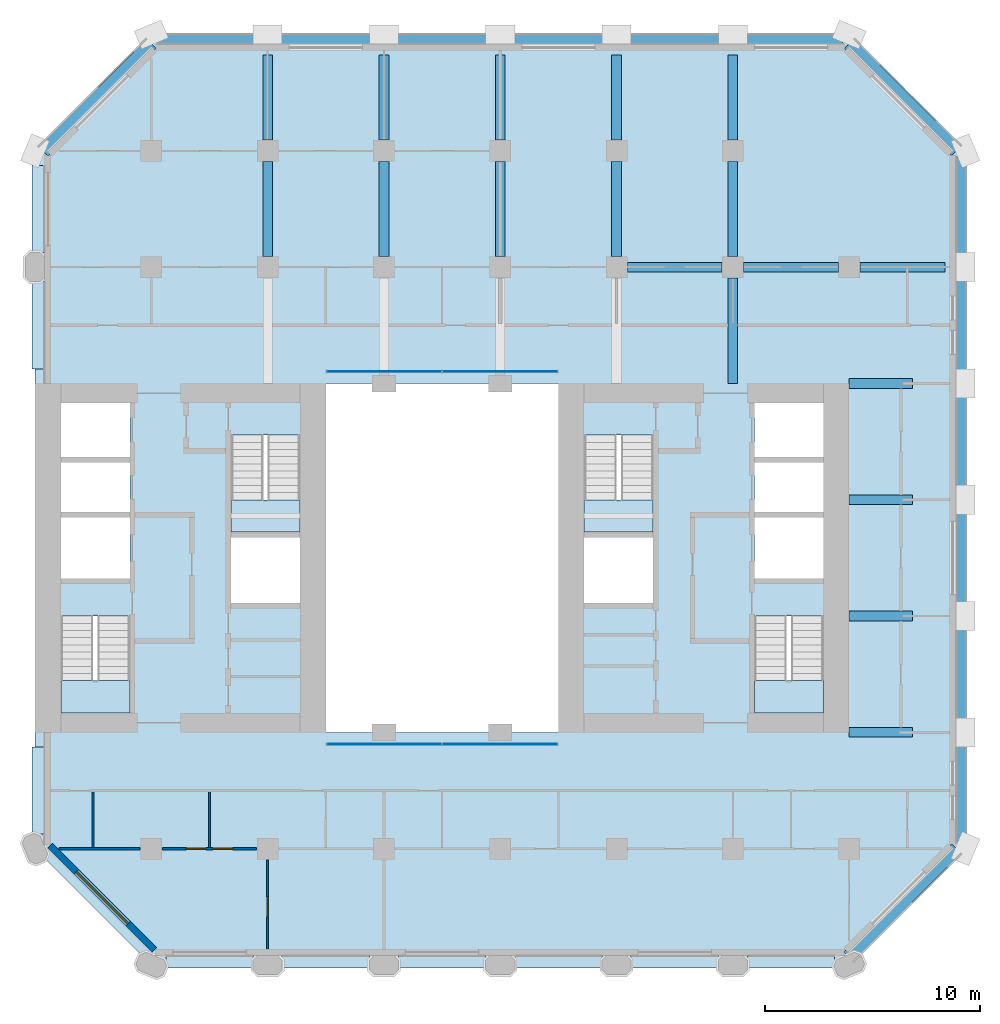
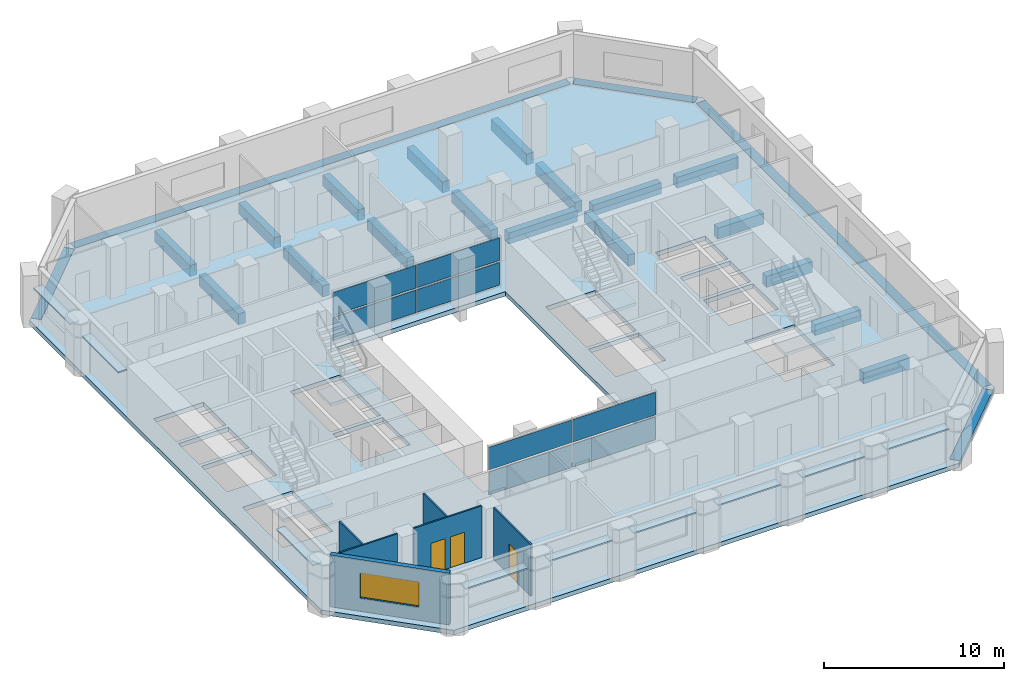
# One storey, part 3 of 10: 23 beams, 17 plates, 6 walls, 5 slabs, 3 doors, 1 window, 4 openings, 6 elements without a shape of their own.
"""IFC4 building model written with IfcOpenShell, lengths in metres."""

from ifc_helpers import new_model, si_unit, direction, frame, frame_2d, origin, origin_2d, place, context, subcontext, project, spatial, polyline, rectangle, outline, extrude, material, layer, layer_set, material_profile, profile_set, type_object, element, fill, aggregate, save


model = new_model("IFC4")

# Units and contexts
model_context = context("Model", 3, precision=1e-05, world=origin(), true_north=direction((0.0, 1.0)))
body_context = subcontext(model_context, "Body", "Model", "MODEL_VIEW")
ifc_project = project(units=[si_unit("LENGTHUNIT", "METRE"), si_unit("AREAUNIT", "SQUARE_METRE"), si_unit("VOLUMEUNIT", "CUBIC_METRE"), si_unit("PLANEANGLEUNIT", "RADIAN"), si_unit("MASSUNIT", "GRAM", prefix="KILO")], contexts=[model_context])

# Site, building, storey
site_placement = place(None, origin())
site = spatial("IfcSite", under=ifc_project, at=site_placement, CompositionType="ELEMENT")
building_placement = place(site_placement, origin())
building = spatial("IfcBuilding", under=site, at=building_placement, Name="Tabaq Tower and Sports Hall", CompositionType="ELEMENT")
storey_placement = place(building_placement, frame((0.0, 0.0, 87.800048828125)))
storey = spatial("IfcBuildingStorey", under=building, at=storey_placement, Name="L20", CompositionType="ELEMENT", Elevation=87.800048828125)

# Beams
ifc_material_1 = material(Name="Concrete C40/50", Category="concrete")
ifc_material_profile_1 = material_profile(ifc_material_1, rectangle(XDim=0.449951171875, YDim=0.75, at=origin_2d()), Name="CB 450x750")
ifc_profile_set_1 = profile_set([ifc_material_profile_1], Name="Concrete C40/50")
beam_type_1 = type_object("IfcBeamType", Name="PT CANTILEVER BEAM CB 450x750 C40/50", PredefinedType="BEAM", material=ifc_profile_set_1)
for number, where, z_axis, x_axis, name in (
    (1, (46.14990234375, 16.199951171875, -0.675048828125), (-1.0, 0.0, 0.0), (0.0, -1.0, 0.0), "Cantilever Beam L20 E3 span 1"),
    (2, (46.14990234375, 21.60009765625, -0.675048828125), (-1.0, 0.0, 0.0), (0.0, -1.0, 0.0), "Cantilever Beam L20 E4 span 1"),
    (3, (46.14990234375, 27.0, -0.675048828125), (-1.0, 0.0, 0.0), (0.0, -1.0, 0.0), "Cantilever Beam L20 E5 span 1"),
    (4, (46.14990234375, 32.39990234375, -0.675048828125), (-1.0, 0.0, 0.0), (0.0, -1.0, 0.0), "Cantilever Beam L20 E6 span 1"),
):
    element("IfcBeam", number, at=place(storey_placement, frame(where, z_axis=z_axis, x_axis=x_axis)), inside=storey, type_object=beam_type_1, Name=name, PredefinedType="BEAM", context=body_context, shape_type="SweptSolid", body=[
        extrude(rectangle(XDim=0.449951171875, YDim=0.75, at=origin_2d()), origin(), (0.0, 0.0, 1.0), 2.949951171875),
    ])
beam_1_placement = place(storey_placement, frame((47.64990234375, 37.800048828125, -0.675048828125), z_axis=(-1.0, 0.0, 0.0), x_axis=(0.0, -1.0, 0.0)))
element("IfcBeam", 5, at=beam_1_placement, inside=storey, type_object=beam_type_1, Name="Cantilever Beam L20 E7 span 1", PredefinedType="BEAM", context=body_context, shape_type="SweptSolid", body=[
    extrude(rectangle(XDim=0.449951171875, YDim=0.75, at=origin_2d()), origin(), (0.0, 0.0, 1.0), 3.949951171875),
])
beam_2_placement = place(storey_placement, frame((42.699951171875, 37.800048828125, -0.675048828125), z_axis=(-1.0, 0.0, 0.0), x_axis=(0.0, -1.0, 0.0)))
element("IfcBeam", 6, at=beam_2_placement, inside=storey, type_object=beam_type_1, Name="Cantilever Beam L20 E7 span 2", PredefinedType="BEAM", context=body_context, shape_type="SweptSolid", body=[
    extrude(rectangle(XDim=0.449951171875, YDim=0.75, at=origin_2d()), origin(), (0.0, 0.0, 1.0), 4.39990234375),
])
beam_3_placement = place(storey_placement, frame((37.300048828125, 37.800048828125, -0.675048828125), z_axis=(-1.0, 0.0, 0.0), x_axis=(0.0, -1.0, 0.0)))
element("IfcBeam", 7, at=beam_3_placement, inside=storey, type_object=beam_type_1, Name="Cantilever Beam L20 E7 span 3", PredefinedType="BEAM", context=body_context, shape_type="SweptSolid", body=[
    extrude(rectangle(XDim=0.449951171875, YDim=0.75, at=origin_2d()), origin(), (0.0, 0.0, 1.0), 4.400146484375),
])
beam_4_placement = place(storey_placement, frame((16.199951171875, 47.64990234375, -0.675048828125), z_axis=(0.0, -1.0, 0.0), x_axis=(1.0, 0.0, 0.0)))
element("IfcBeam", 8, at=beam_4_placement, inside=storey, type_object=beam_type_1, Name="Cantilever Beam L20 N3 span 1", PredefinedType="BEAM", context=body_context, shape_type="SweptSolid", body=[
    extrude(rectangle(XDim=0.449951171875, YDim=0.75, at=origin_2d()), origin(), (0.0, 0.0, 1.0), 3.949951171875),
])
beam_5_placement = place(storey_placement, frame((16.199951171875, 42.699951171875, -0.675048828125), z_axis=(0.0, -1.0, 0.0), x_axis=(1.0, 0.0, 0.0)))
element("IfcBeam", 9, at=beam_5_placement, inside=storey, type_object=beam_type_1, Name="Cantilever Beam L20 N3 span 2", PredefinedType="BEAM", context=body_context, shape_type="SweptSolid", body=[
    extrude(rectangle(XDim=0.449951171875, YDim=0.75, at=origin_2d()), origin(), (0.0, 0.0, 1.0), 4.39990234375),
])
beam_6_placement = place(storey_placement, frame((21.60009765625, 47.64990234375, -0.675048828125), z_axis=(0.0, -1.0, 0.0), x_axis=(1.0, 0.0, 0.0)))
element("IfcBeam", 10, at=beam_6_placement, inside=storey, type_object=beam_type_1, Name="Cantilever Beam L20 N4 span 1", PredefinedType="BEAM", context=body_context, shape_type="SweptSolid", body=[
    extrude(rectangle(XDim=0.449951171875, YDim=0.75, at=origin_2d()), origin(), (0.0, 0.0, 1.0), 3.949951171875),
])
beam_7_placement = place(storey_placement, frame((21.60009765625, 42.699951171875, -0.675048828125), z_axis=(0.0, -1.0, 0.0), x_axis=(1.0, 0.0, 0.0)))
element("IfcBeam", 11, at=beam_7_placement, inside=storey, type_object=beam_type_1, Name="Cantilever Beam L20 N4 span 2", PredefinedType="BEAM", context=body_context, shape_type="SweptSolid", body=[
    extrude(rectangle(XDim=0.449951171875, YDim=0.75, at=origin_2d()), origin(), (0.0, 0.0, 1.0), 4.39990234375),
])
beam_8_placement = place(storey_placement, frame((27.0, 47.64990234375, -0.675048828125), z_axis=(0.0, -1.0, 0.0), x_axis=(1.0, 0.0, 0.0)))
element("IfcBeam", 12, at=beam_8_placement, inside=storey, type_object=beam_type_1, Name="Cantilever Beam L20 N5 span 1", PredefinedType="BEAM", context=body_context, shape_type="SweptSolid", body=[
    extrude(rectangle(XDim=0.449951171875, YDim=0.75, at=origin_2d()), origin(), (0.0, 0.0, 1.0), 3.949951171875),
])
beam_9_placement = place(storey_placement, frame((27.0, 42.699951171875, -0.675048828125), z_axis=(0.0, -1.0, 0.0), x_axis=(1.0, 0.0, 0.0)))
element("IfcBeam", 13, at=beam_9_placement, inside=storey, type_object=beam_type_1, Name="Cantilever Beam L20 N5 span 2", PredefinedType="BEAM", context=body_context, shape_type="SweptSolid", body=[
    extrude(rectangle(XDim=0.449951171875, YDim=0.75, at=origin_2d()), origin(), (0.0, 0.0, 1.0), 4.39990234375),
])
beam_10_placement = place(storey_placement, frame((32.39990234375, 47.64990234375, -0.675048828125), z_axis=(0.0, -1.0, 0.0), x_axis=(1.0, 0.0, 0.0)))
element("IfcBeam", 14, at=beam_10_placement, inside=storey, type_object=beam_type_1, Name="Cantilever Beam L20 N6 span 1", PredefinedType="BEAM", context=body_context, shape_type="SweptSolid", body=[
    extrude(rectangle(XDim=0.449951171875, YDim=0.75, at=origin_2d()), origin(), (0.0, 0.0, 1.0), 3.949951171875),
])
beam_11_placement = place(storey_placement, frame((32.39990234375, 42.699951171875, -0.675048828125), z_axis=(0.0, -1.0, 0.0), x_axis=(1.0, 0.0, 0.0)))
element("IfcBeam", 15, at=beam_11_placement, inside=storey, type_object=beam_type_1, Name="Cantilever Beam L20 N6 span 2", PredefinedType="BEAM", context=body_context, shape_type="SweptSolid", body=[
    extrude(rectangle(XDim=0.449951171875, YDim=0.75, at=origin_2d()), origin(), (0.0, 0.0, 1.0), 4.39990234375),
])
beam_12_placement = place(storey_placement, frame((37.800048828125, 47.64990234375, -0.675048828125), z_axis=(0.0, -1.0, 0.0), x_axis=(1.0, 0.0, 0.0)))
element("IfcBeam", 16, at=beam_12_placement, inside=storey, type_object=beam_type_1, Name="Cantilever Beam L20 N7 span 1", PredefinedType="BEAM", context=body_context, shape_type="SweptSolid", body=[
    extrude(rectangle(XDim=0.449951171875, YDim=0.75, at=origin_2d()), origin(), (0.0, 0.0, 1.0), 3.949951171875),
])
beam_13_placement = place(storey_placement, frame((37.800048828125, 42.699951171875, -0.675048828125), z_axis=(0.0, -1.0, 0.0), x_axis=(1.0, 0.0, 0.0)))
element("IfcBeam", 17, at=beam_13_placement, inside=storey, type_object=beam_type_1, Name="Cantilever Beam L20 N7 span 2", PredefinedType="BEAM", context=body_context, shape_type="SweptSolid", body=[
    extrude(rectangle(XDim=0.449951171875, YDim=0.75, at=origin_2d()), origin(), (0.0, 0.0, 1.0), 4.39990234375),
])
beam_14_placement = place(storey_placement, frame((37.800048828125, 37.300048828125, -0.675048828125), z_axis=(0.0, -1.0, 0.0), x_axis=(1.0, 0.0, 0.0)))
element("IfcBeam", 18, at=beam_14_placement, inside=storey, type_object=beam_type_1, Name="Cantilever Beam L20 N7 span 3", PredefinedType="BEAM", context=body_context, shape_type="SweptSolid", body=[
    extrude(rectangle(XDim=0.449951171875, YDim=0.75, at=origin_2d()), origin(), (0.0, 0.0, 1.0), 4.900146484375),
])
ifc_material_2 = material(Name="Concrete C40/50", Category="concrete")
ifc_material_profile_2 = material_profile(ifc_material_2, rectangle(XDim=0.60009765625, YDim=0.300048828125, at=origin_2d()), Name="EB 600x300")
ifc_profile_set_2 = profile_set([ifc_material_profile_2], Name="Concrete C40/50")
beam_type_2 = type_object("IfcBeamType", Name="PT EDGE BEAM EB 600x300 C40/50", PredefinedType="SPANDREL", material=ifc_profile_set_2)
beam_15_placement = place(storey_placement, frame((43.16455078125, 5.788818359375, -0.150146484375), z_axis=(0.707106781187, 0.707106781187, 0.0), x_axis=(-0.707106781187, 0.707106781187, 0.0)))
element("IfcBeam", 19, at=beam_15_placement, inside=storey, type_object=beam_type_2, Name="Edge Beam L20 1", PredefinedType="SPANDREL", context=body_context, shape_type="SweptSolid", body=[
    extrude(rectangle(XDim=0.60009765625, YDim=0.300048828125, at=origin_2d()), origin(), (0.0, 0.0, 1.0), 7.08837890625),
])
beam_16_placement = place(storey_placement, frame((48.300048828125, 11.0986328125, -0.150146484375), z_axis=(0.0, 1.0, 0.0), x_axis=(-1.0, 0.0, 0.0)))
element("IfcBeam", 20, at=beam_16_placement, inside=storey, type_object=beam_type_2, Name="Edge Beam L20 2", PredefinedType="SPANDREL", context=body_context, shape_type="SweptSolid", body=[
    extrude(rectangle(XDim=0.60009765625, YDim=0.300048828125, at=origin_2d()), origin(), (0.0, 0.0, 1.0), 31.802734375),
])
beam_17_placement = place(storey_placement, frame((48.1767578125, 43.198974609375, -0.150146484375), z_axis=(-0.707106781187, 0.707106781187, 0.0), x_axis=(-0.707106781187, -0.707106781187, 0.0)))
element("IfcBeam", 21, at=beam_17_placement, inside=storey, type_object=beam_type_2, Name="Edge Beam L20 3", PredefinedType="SPANDREL", context=body_context, shape_type="SweptSolid", body=[
    extrude(rectangle(XDim=0.60009765625, YDim=0.300048828125, at=origin_2d()), origin(), (0.0, 0.0, 1.0), 7.03955078125),
])
beam_18_placement = place(storey_placement, frame((42.9013671875, 48.300048828125, -0.150146484375), z_axis=(-1.0, 0.0, 0.0), x_axis=(0.0, -1.0, 0.0)))
element("IfcBeam", 22, at=beam_18_placement, inside=storey, type_object=beam_type_2, Name="Edge Beam L20 4", PredefinedType="SPANDREL", context=body_context, shape_type="SweptSolid", body=[
    extrude(rectangle(XDim=0.60009765625, YDim=0.300048828125, at=origin_2d()), origin(), (0.0, 0.0, 1.0), 31.802734375),
])
beam_19_placement = place(storey_placement, frame((10.801025390625, 48.1767578125, -0.150146484375), z_axis=(-0.707106781187, -0.707106781187, 0.0), x_axis=(0.707106781187, -0.707106781187, 0.0)))
element("IfcBeam", 23, at=beam_19_placement, inside=storey, type_object=beam_type_2, Name="Edge Beam L20 5", PredefinedType="SPANDREL", context=body_context, shape_type="SweptSolid", body=[
    extrude(rectangle(XDim=0.60009765625, YDim=0.300048828125, at=origin_2d()), origin(), (0.0, 0.0, 1.0), 7.08837890625),
])

# Curtain wall, plates
ifc_material_3 = material(Name="Aluminium alloy 6063-T6 framed glazing", Category="aluminium")
curtain_wall_type = type_object("IfcCurtainWallType", Name="CW1 curtain wall", PredefinedType="USERDEFINED", material=ifc_material_3)
curtain_wall_1_placement = place(storey_placement, origin())
curtain_wall_1 = element("IfcCurtainWall", 24, at=curtain_wall_1_placement, inside=storey, type_object=curtain_wall_type, Name="Atrium glazing L20 S", ObjectType="ATRIUM ENCLOSURE", PredefinedType="USERDEFINED")
ifc_material_4 = material(Name="Clear low-emissivity glass 28 mm", Category="glass")
ifc_layer_1 = layer(ifc_material_4, 0.028076171875)
ifc_layer_set_1 = layer_set([ifc_layer_1], Name="CW1 glass panel 28")
plate_type_1 = type_object("IfcPlateType", Name="CW1 glass panel 28", PredefinedType="CURTAIN_PANEL", material=ifc_layer_set_1)
plate_1_placement = place(storey_placement, frame((21.614990234375, 15.64990234375, 0.139892578125), z_axis=(0.0, 0.0, 1.0), x_axis=(1.0, 0.0, 0.0)))
plate_1 = element("IfcPlate", 25, at=plate_1_placement, type_object=plate_type_1, Name="CW1 panel 1.1", PredefinedType="CURTAIN_PANEL", context=body_context, shape_type="SweptSolid", body=[
    extrude(rectangle(XDim=5.31005859375, YDim=0.028076171875, at=origin_2d()), origin(), (0.0, 0.0, 1.0), 1.5400390625),
])
plate_2_placement = place(storey_placement, frame((21.614990234375, 15.64990234375, 1.81982421875), z_axis=(0.0, 0.0, 1.0), x_axis=(1.0, 0.0, 0.0)))
plate_2 = element("IfcPlate", 26, at=plate_2_placement, type_object=plate_type_1, Name="CW1 panel 1.2", PredefinedType="CURTAIN_PANEL", context=body_context, shape_type="SweptSolid", body=[
    extrude(rectangle(XDim=5.31005859375, YDim=0.028076171875, at=origin_2d()), origin(), (0.0, 0.0, 1.0), 1.5400390625),
])
plate_3_placement = place(storey_placement, frame((26.985107421875, 15.64990234375, 0.139892578125), z_axis=(0.0, 0.0, 1.0), x_axis=(1.0, 0.0, 0.0)))
plate_3 = element("IfcPlate", 27, at=plate_3_placement, type_object=plate_type_1, Name="CW1 panel 2.1", PredefinedType="CURTAIN_PANEL", context=body_context, shape_type="SweptSolid", body=[
    extrude(rectangle(XDim=5.31005859375, YDim=0.028076171875, at=origin_2d()), origin(), (0.0, 0.0, 1.0), 1.5400390625),
])
plate_4_placement = place(storey_placement, frame((26.985107421875, 15.64990234375, 1.81982421875), z_axis=(0.0, 0.0, 1.0), x_axis=(1.0, 0.0, 0.0)))
plate_4 = element("IfcPlate", 28, at=plate_4_placement, type_object=plate_type_1, Name="CW1 panel 2.2", PredefinedType="CURTAIN_PANEL", context=body_context, shape_type="SweptSolid", body=[
    extrude(rectangle(XDim=5.31005859375, YDim=0.028076171875, at=origin_2d()), origin(), (0.0, 0.0, 1.0), 1.5400390625),
])
aggregate(curtain_wall_1, [plate_1, plate_2, plate_3, plate_4])

curtain_wall_2_placement = place(storey_placement, origin())
curtain_wall_2 = element("IfcCurtainWall", 29, at=curtain_wall_2_placement, inside=storey, type_object=curtain_wall_type, Name="Atrium glazing L20 N", ObjectType="ATRIUM ENCLOSURE", PredefinedType="USERDEFINED")
plate_5_placement = place(storey_placement, frame((21.614990234375, 32.949951171875, 0.139892578125), z_axis=(0.0, 0.0, 1.0), x_axis=(1.0, 0.0, 0.0)))
plate_5 = element("IfcPlate", 30, at=plate_5_placement, type_object=plate_type_1, Name="CW1 panel 1.1", PredefinedType="CURTAIN_PANEL", context=body_context, shape_type="SweptSolid", body=[
    extrude(rectangle(XDim=5.31005859375, YDim=0.028076171875, at=origin_2d()), origin(), (0.0, 0.0, 1.0), 1.5400390625),
])
plate_6_placement = place(storey_placement, frame((21.614990234375, 32.949951171875, 1.81982421875), z_axis=(0.0, 0.0, 1.0), x_axis=(1.0, 0.0, 0.0)))
plate_6 = element("IfcPlate", 31, at=plate_6_placement, type_object=plate_type_1, Name="CW1 panel 1.2", PredefinedType="CURTAIN_PANEL", context=body_context, shape_type="SweptSolid", body=[
    extrude(rectangle(XDim=5.31005859375, YDim=0.028076171875, at=origin_2d()), origin(), (0.0, 0.0, 1.0), 1.5400390625),
])
plate_7_placement = place(storey_placement, frame((26.985107421875, 32.949951171875, 0.139892578125), z_axis=(0.0, 0.0, 1.0), x_axis=(1.0, 0.0, 0.0)))
plate_7 = element("IfcPlate", 32, at=plate_7_placement, type_object=plate_type_1, Name="CW1 panel 2.1", PredefinedType="CURTAIN_PANEL", context=body_context, shape_type="SweptSolid", body=[
    extrude(rectangle(XDim=5.31005859375, YDim=0.028076171875, at=origin_2d()), origin(), (0.0, 0.0, 1.0), 1.5400390625),
])
plate_8_placement = place(storey_placement, frame((26.985107421875, 32.949951171875, 1.81982421875), z_axis=(0.0, 0.0, 1.0), x_axis=(1.0, 0.0, 0.0)))
plate_8 = element("IfcPlate", 33, at=plate_8_placement, type_object=plate_type_1, Name="CW1 panel 2.2", PredefinedType="CURTAIN_PANEL", context=body_context, shape_type="SweptSolid", body=[
    extrude(rectangle(XDim=5.31005859375, YDim=0.028076171875, at=origin_2d()), origin(), (0.0, 0.0, 1.0), 1.5400390625),
])
aggregate(curtain_wall_2, [plate_5, plate_6, plate_7, plate_8])

# Stair, slab
ifc_material_5 = material(Name="Concrete C40/50", Category="concrete")
stair_type = type_object("IfcStairType", Name="Exit stair", PredefinedType="HALF_TURN_STAIR", material=ifc_material_5)
stair_1_placement = place(storey_placement, origin())
stair_1 = element("IfcStair", 34, at=stair_1_placement, inside=storey, type_object=stair_type, Name="L20 Exit stair ST1", PredefinedType="HALF_TURN_STAIR")
ifc_material_6 = material(Name="Concrete C40/50", Category="concrete")
ifc_layer_2 = layer(ifc_material_6, 0.199951171875)
ifc_layer_set_2 = layer_set([ifc_layer_2], Name="Exit stair landing")
slab_type_1 = type_object("IfcSlabType", Name="Exit stair landing", PredefinedType="LANDING", material=ifc_layer_set_2)
slab_1_placement = place(storey_placement, frame((0.0, 0.0, 1.699951171875)))
slab_1 = element("IfcSlab", 35, at=slab_1_placement, type_object=slab_type_1, Name="ST1 landing 1", PredefinedType="LANDING", context=body_context, shape_type="SweptSolid", body=[
    extrude(outline(polyline([(6.60009765625, 18.60009765625), (6.60009765625, 17.10009765625), (9.800048828125, 17.10009765625), (9.800048828125, 18.60009765625), (6.60009765625, 18.60009765625)])), origin(), (0.0, 0.0, 1.0), 0.199951171875),
])
aggregate(stair_1, [slab_1])

stair_2_placement = place(storey_placement, origin())
stair_2 = element("IfcStair", 36, at=stair_2_placement, inside=storey, type_object=stair_type, Name="L20 Exit stair ST2", PredefinedType="HALF_TURN_STAIR")
slab_2_placement = place(storey_placement, frame((0.0, 0.0, 1.699951171875)))
slab_2 = element("IfcSlab", 37, at=slab_2_placement, type_object=slab_type_1, Name="ST2 landing 1", PredefinedType="LANDING", context=body_context, shape_type="SweptSolid", body=[
    extrude(outline(polyline([(14.5, 27.0), (14.5, 25.5), (17.699951171875, 25.5), (17.699951171875, 27.0), (14.5, 27.0)])), origin(), (0.0, 0.0, 1.0), 0.199951171875),
])
aggregate(stair_2, [slab_2])

stair_3_placement = place(storey_placement, origin())
stair_3 = element("IfcStair", 38, at=stair_3_placement, inside=storey, type_object=stair_type, Name="L20 Exit stair ST3", PredefinedType="HALF_TURN_STAIR")
slab_3_placement = place(storey_placement, frame((0.0, 0.0, 1.699951171875)))
slab_3 = element("IfcSlab", 39, at=slab_3_placement, type_object=slab_type_1, Name="ST3 landing 1", PredefinedType="LANDING", context=body_context, shape_type="SweptSolid", body=[
    extrude(outline(polyline([(38.800048828125, 18.60009765625), (38.800048828125, 17.10009765625), (42.0, 17.10009765625), (42.0, 18.60009765625), (38.800048828125, 18.60009765625)])), origin(), (0.0, 0.0, 1.0), 0.199951171875),
])
aggregate(stair_3, [slab_3])

stair_4_placement = place(storey_placement, origin())
stair_4 = element("IfcStair", 40, at=stair_4_placement, inside=storey, type_object=stair_type, Name="L20 Exit stair ST4", PredefinedType="HALF_TURN_STAIR")
slab_4_placement = place(storey_placement, frame((0.0, 0.0, 1.699951171875)))
slab_4 = element("IfcSlab", 41, at=slab_4_placement, type_object=slab_type_1, Name="ST4 landing 1", PredefinedType="LANDING", context=body_context, shape_type="SweptSolid", body=[
    extrude(outline(polyline([(30.89990234375, 27.0), (30.89990234375, 25.5), (34.10009765625, 25.5), (34.10009765625, 27.0), (30.89990234375, 27.0)])), origin(), (0.0, 0.0, 1.0), 0.199951171875),
])
aggregate(stair_4, [slab_4])

# Slab
ifc_material_7 = material(Name="Concrete C40/50", Category="concrete")
ifc_layer_3 = layer(ifc_material_7, 0.300048828125)
ifc_layer_set_3 = layer_set([ifc_layer_3], Name="PT FLOOR SLAB 300 C40/50")
slab_type_2 = type_object("IfcSlabType", Name="PT FLOOR SLAB 300 C40/50", PredefinedType="FLOOR", material=ifc_layer_set_3)
slab_5_placement = place(storey_placement, frame((0.0, 0.0, -0.300048828125)))
element("IfcSlab", 42, at=slab_5_placement, inside=storey, type_object=slab_type_2, Name="Floor Slab L20", PredefinedType="FLOOR", context=body_context, shape_type="SweptSolid", body=[
    extrude(outline(polyline([(5.39990234375, 43.199951171875), (5.39990234375, 10.800048828125), (10.800048828125, 5.39990234375), (43.199951171875, 5.39990234375), (43.376708984375, 5.57666015625), (42.952392578125, 6.0009765625), (47.964599609375, 11.01318359375), (48.035400390625, 10.9423828125), (48.388916015625, 10.5888671875), (48.60009765625, 10.800048828125), (48.60009765625, 11.0986328125), (48.10009765625, 11.0986328125), (48.0, 11.0986328125), (48.0, 42.9013671875), (48.10009765625, 42.9013671875), (48.60009765625, 42.9013671875), (48.60009765625, 43.199951171875), (48.388916015625, 43.4111328125), (48.035400390625, 43.0576171875), (47.964599609375, 42.98681640625), (42.98681640625, 47.964599609375), (43.0576171875, 48.035400390625), (43.4111328125, 48.388916015625), (43.199951171875, 48.60009765625), (42.9013671875, 48.60009765625), (42.9013671875, 48.10009765625), (42.9013671875, 48.0), (11.0986328125, 48.0), (11.0986328125, 48.10009765625), (11.0986328125, 48.60009765625), (10.800048828125, 48.60009765625), (10.5888671875, 48.388916015625), (10.9423828125, 48.035400390625), (11.01318359375, 47.964599609375), (6.0009765625, 42.952392578125), (5.57666015625, 43.376708984375), (5.39990234375, 43.199951171875)]), holes=[polyline([(6.60009765625, 21.599365234375), (9.800048828125, 21.599365234375), (9.800048828125, 17.10009765625), (6.60009765625, 17.10009765625), (6.60009765625, 21.599365234375)]), polyline([(17.699951171875, 25.25), (17.699951171875, 22.199951171875), (14.5, 22.199951171875), (14.5, 25.25), (17.699951171875, 25.25)]), polyline([(18.89990234375, 32.39990234375), (29.699951171875, 32.39990234375), (29.699951171875, 16.199951171875), (18.89990234375, 16.199951171875), (18.89990234375, 32.39990234375)]), polyline([(6.60009765625, 26.175048828125), (9.800048828125, 26.175048828125), (9.800048828125, 23.35009765625), (6.60009765625, 23.35009765625), (6.60009765625, 26.175048828125)]), polyline([(9.800048828125, 28.72509765625), (9.800048828125, 26.425048828125), (6.60009765625, 26.425048828125), (6.60009765625, 28.72509765625), (9.800048828125, 28.72509765625)]), polyline([(17.699951171875, 29.99951171875), (17.699951171875, 25.5), (14.5, 25.5), (14.5, 29.99951171875), (17.699951171875, 29.99951171875)]), polyline([(6.60009765625, 31.5), (9.800048828125, 31.5), (9.800048828125, 28.97509765625), (6.60009765625, 28.97509765625), (6.60009765625, 31.5)]), polyline([(42.0, 21.599365234375), (42.0, 17.10009765625), (38.800048828125, 17.10009765625), (38.800048828125, 21.599365234375), (42.0, 21.599365234375)]), polyline([(34.10009765625, 25.25), (34.10009765625, 22.199951171875), (30.89990234375, 22.199951171875), (30.89990234375, 25.25), (34.10009765625, 25.25)]), polyline([(42.0, 26.175048828125), (42.0, 23.35009765625), (38.800048828125, 23.35009765625), (38.800048828125, 26.175048828125), (42.0, 26.175048828125)]), polyline([(42.0, 28.72509765625), (42.0, 26.425048828125), (38.800048828125, 26.425048828125), (38.800048828125, 28.72509765625), (42.0, 28.72509765625)]), polyline([(34.10009765625, 29.99951171875), (34.10009765625, 25.5), (30.89990234375, 25.5), (30.89990234375, 29.99951171875), (34.10009765625, 29.99951171875)]), polyline([(42.0, 31.5), (42.0, 28.97509765625), (38.800048828125, 28.97509765625), (38.800048828125, 31.5), (42.0, 31.5)])]), origin(), (0.0, 0.0, 1.0), 0.300048828125),
])

# Plates
ifc_material_8 = material(Name="White precast concrete C60/75 blade", Category="concrete")
ifc_layer_4 = layer(ifc_material_8, 0.10009765625)
ifc_layer_set_4 = layer_set([ifc_layer_4], Name="White precast concrete C60/75 sunshade 100")
plate_type_2 = type_object("IfcPlateType", Name="White precast concrete C60/75 sunshade 100", PredefinedType="USERDEFINED", material=ifc_layer_set_4)
for number, where, z_axis, x_axis, name in (
    (43, (13.5, 5.550048828125, 2.599853515625), (0.0, 0.0, 1.0), (1.0, 0.0, 0.0), "Sunshade L20 S"),
    (44, (18.89990234375, 5.550048828125, 2.599853515625), (0.0, 0.0, 1.0), (1.0, 0.0, 0.0), "Sunshade L20 S"),
    (45, (24.300048828125, 5.550048828125, 2.599853515625), (0.0, 0.0, 1.0), (1.0, 0.0, 0.0), "Sunshade L20 S"),
    (46, (29.699951171875, 5.550048828125, 2.599853515625), (0.0, 0.0, 1.0), (1.0, 0.0, 0.0), "Sunshade L20 S"),
    (47, (35.10009765625, 5.550048828125, 2.599853515625), (0.0, 0.0, 1.0), (1.0, 0.0, 0.0), "Sunshade L20 S"),
    (48, (40.5, 5.550048828125, 2.599853515625), (0.0, 0.0, 1.0), (1.0, 0.0, 0.0), "Sunshade L20 S"),
    (49, (5.550048828125, 40.5, 2.599853515625), (0.0, 0.0, 1.0), (0.0, -1.0, 0.0), "Sunshade L20 W"),
    (50, (5.550048828125, 35.10009765625, 2.599853515625), (0.0, 0.0, 1.0), (0.0, -1.0, 0.0), "Sunshade L20 W"),
    (51, (5.550048828125, 13.5, 2.599853515625), (0.0, 0.0, 1.0), (0.0, -1.0, 0.0), "Sunshade L20 W"),
):
    element("IfcPlate", number, at=place(storey_placement, frame(where, z_axis=z_axis, x_axis=x_axis)), inside=storey, type_object=plate_type_2, Name=name, ObjectType="SUNSHADE", PredefinedType="USERDEFINED", context=body_context, shape_type="SweptSolid", body=[
        extrude(rectangle(XDim=4.050048828125, YDim=0.60009765625, at=origin_2d()), origin(), (0.0, 0.0, 1.0), 0.10009765625),
    ])

# Walls
ifc_material_9 = material(Name="Gypsum board on steel studs", Category="steel")
ifc_layer_5 = layer(ifc_material_9, 0.10009765625)
ifc_layer_set_5 = layer_set([ifc_layer_5], Name="Partition 100 Gypsum board")
wall_type_1 = type_object("IfcWallType", Name="Partition 100 Gypsum board", PredefinedType="PARTITIONING", material=ifc_layer_set_5)
wall_1_placement = place(storey_placement, frame((8.10009765625, 10.85009765625, 0.0), z_axis=(0.0, 0.0, 1.0), x_axis=(0.0, 1.0, 0.0)))
element("IfcWall", 52, at=wall_1_placement, inside=storey, type_object=wall_type_1, Name="Partition wall L20", PredefinedType="PARTITIONING", context=body_context, shape_type="SweptSolid", body=[
    extrude(rectangle(XDim=2.574951171875, YDim=0.10009765625, at=frame_2d((1.28759765625, 0.0))), origin(), (0.0, 0.0, 1.0), 3.5),
])
wall_2_placement = place(storey_placement, frame((6.51220703125, 10.800048828125, 0.0), z_axis=(0.0, 0.0, 1.0), x_axis=(1.0, 0.0, 0.0)))
element("IfcWall", 53, at=wall_2_placement, inside=storey, type_object=wall_type_1, Name="Partition wall L20", PredefinedType="PARTITIONING", context=body_context, shape_type="SweptSolid", body=[
    extrude(rectangle(XDim=3.767822265625, YDim=0.10009765625, at=frame_2d((1.8837890625, 0.0))), origin(), (0.0, 0.0, 1.0), 3.5),
])
wall_3_placement = place(storey_placement, frame((13.5, 10.85009765625, 0.0), z_axis=(0.0, 0.0, 1.0), x_axis=(0.0, 1.0, 0.0)))
element("IfcWall", 54, at=wall_3_placement, inside=storey, type_object=wall_type_1, Name="Partition wall L20", PredefinedType="PARTITIONING", context=body_context, shape_type="SweptSolid", body=[
    extrude(rectangle(XDim=2.574951171875, YDim=0.10009765625, at=frame_2d((1.28759765625, 0.0))), origin(), (0.0, 0.0, 1.0), 3.5),
])

# Wall, openings, doors
wall_4_placement = place(storey_placement, frame((11.320068359375, 10.800048828125, 0.0), z_axis=(0.0, 0.0, 1.0), x_axis=(1.0, 0.0, 0.0)))
wall_4 = element("IfcWall", 55, at=wall_4_placement, inside=storey, type_object=wall_type_1, Name="Partition wall L20", PredefinedType="PARTITIONING", context=body_context, shape_type="SweptSolid", body=[
    extrude(rectangle(XDim=4.35986328125, YDim=0.10009765625, at=frame_2d((2.179931640625, 0.0))), origin(), (0.0, 0.0, 1.0), 3.5),
])
opening_1_placement = place(wall_4_placement, frame((1.110107421875, 0.0, 0.0)))
opening_1 = element("IfcOpeningElement", 56, at=opening_1_placement, cuts=wall_4, Name="Opening L20-017", PredefinedType="OPENING", context=body_context, shape_type="SweptSolid", body=[
    extrude(rectangle(XDim=0.89990234375, YDim=2.10009765625, at=frame_2d((0.449951171875, 1.050048828125))), frame((0.0, 0.050048828125, 0.0), z_axis=(0.0, -1.0, 0.0), x_axis=(1.0, 0.0, 0.0)), (0.0, 0.0, 1.0), 0.10009765625),
])
opening_2_placement = place(wall_4_placement, frame((2.35009765625, 0.0, 0.0)))
opening_2 = element("IfcOpeningElement", 57, at=opening_2_placement, cuts=wall_4, Name="Opening L20-030", PredefinedType="OPENING", context=body_context, shape_type="SweptSolid", body=[
    extrude(rectangle(XDim=0.89990234375, YDim=2.10009765625, at=frame_2d((0.449951171875, 1.050048828125))), frame((0.0, 0.050048828125, 0.0), z_axis=(0.0, -1.0, 0.0), x_axis=(1.0, 0.0, 0.0)), (0.0, 0.0, 1.0), 0.10009765625),
])
ifc_material_10 = material(Name="Timber leaf in steel frame", Category="steel")
door_type_1 = type_object("IfcDoorType", Name="Internal door 900 left hand", OperationType="SINGLE_SWING_LEFT", PredefinedType="DOOR", material=ifc_material_10)
door_1_placement = place(opening_1_placement, origin())
door_1 = element("IfcDoor", 58, at=door_1_placement, inside=storey, type_object=door_type_1, Name="Internal door L20-017", OperationType="SINGLE_SWING_LEFT", OverallHeight=2.10009765625, OverallWidth=0.89990234375, PredefinedType="DOOR", context=body_context, shape_type="SweptSolid", body=[
    extrude(rectangle(XDim=0.89990234375, YDim=2.10009765625, at=frame_2d((0.449951171875, 1.050048828125))), frame((0.0, 0.02490234375, 0.0), z_axis=(0.0, -1.0, 0.0), x_axis=(1.0, 0.0, 0.0)), (0.0, 0.0, 1.0), 0.050048828125),
])
fill(opening_1, door_1)
door_2_placement = place(opening_2_placement, origin())
door_2 = element("IfcDoor", 59, at=door_2_placement, inside=storey, type_object=door_type_1, Name="Internal door L20-030", OperationType="SINGLE_SWING_LEFT", OverallHeight=2.10009765625, OverallWidth=0.89990234375, PredefinedType="DOOR", context=body_context, shape_type="SweptSolid", body=[
    extrude(rectangle(XDim=0.89990234375, YDim=2.10009765625, at=frame_2d((0.449951171875, 1.050048828125))), frame((0.0, 0.02490234375, 0.0), z_axis=(0.0, -1.0, 0.0), x_axis=(1.0, 0.0, 0.0)), (0.0, 0.0, 1.0), 0.050048828125),
])
fill(opening_2, door_2)

# Wall, opening, door
wall_5_placement = place(storey_placement, frame((16.199951171875, 6.15087890625, 0.0), z_axis=(0.0, 0.0, 1.0), x_axis=(0.0, 1.0, 0.0)))
wall_5 = element("IfcWall", 60, at=wall_5_placement, inside=storey, type_object=wall_type_1, Name="Partition wall L20", PredefinedType="PARTITIONING", context=body_context, shape_type="SweptSolid", body=[
    extrude(rectangle(XDim=4.129150390625, YDim=0.10009765625, at=frame_2d((2.064453125, 0.0))), origin(), (0.0, 0.0, 1.0), 3.5),
])
opening_3_placement = place(wall_5_placement, frame((1.4990234375, 0.0, 0.0)))
opening_3 = element("IfcOpeningElement", 61, at=opening_3_placement, cuts=wall_5, Name="Opening L20-019", PredefinedType="OPENING", context=body_context, shape_type="SweptSolid", body=[
    extrude(rectangle(XDim=0.89990234375, YDim=2.10009765625, at=frame_2d((0.449951171875, 1.050048828125))), frame((0.0, 0.050048828125, 0.0), z_axis=(0.0, -1.0, 0.0), x_axis=(1.0, 0.0, 0.0)), (0.0, 0.0, 1.0), 0.10009765625),
])
ifc_material_11 = material(Name="Timber leaf in steel frame", Category="steel")
door_type_2 = type_object("IfcDoorType", Name="Internal door 900 right hand", OperationType="SINGLE_SWING_RIGHT", PredefinedType="DOOR", material=ifc_material_11)
door_3_placement = place(opening_3_placement, origin())
door_3 = element("IfcDoor", 62, at=door_3_placement, inside=storey, type_object=door_type_2, Name="Internal door L20-019", OperationType="SINGLE_SWING_RIGHT", OverallHeight=2.10009765625, OverallWidth=0.89990234375, PredefinedType="DOOR", context=body_context, shape_type="SweptSolid", body=[
    extrude(rectangle(XDim=0.89990234375, YDim=2.10009765625, at=frame_2d((0.449951171875, 1.050048828125))), frame((0.0, 0.02490234375, 0.0), z_axis=(0.0, -1.0, 0.0), x_axis=(1.0, 0.0, 0.0)), (0.0, 0.0, 1.0), 0.050048828125),
])
fill(opening_3, door_3)

# Wall, opening, window
ifc_material_12 = material(Name="White precast concrete C60/75", Category="concrete")
ifc_layer_6 = layer(ifc_material_12, 0.300048828125)
ifc_layer_set_6 = layer_set([ifc_layer_6], Name="White precast concrete C60/75 external wall 300")
wall_type_2 = type_object("IfcWallType", Name="White precast concrete C60/75 external wall 300", PredefinedType="SOLIDWALL", material=ifc_layer_set_6)
wall_6_placement = place(storey_placement, frame((6.098876953125, 10.949462890625, 0.0), z_axis=(0.0, 0.0, 1.0), x_axis=(0.707106781187, -0.707106781187, 0.0)))
wall_6 = element("IfcWall", 63, at=wall_6_placement, inside=storey, type_object=wall_type_2, Name="External Wall L20 SW", PredefinedType="SOLIDWALL", context=body_context, shape_type="SweptSolid", body=[
    extrude(rectangle(XDim=6.85986328125, YDim=0.300048828125, at=frame_2d((3.429931640625, 0.0))), origin(), (0.0, 0.0, 1.0), 3.5),
])
opening_4_placement = place(wall_6_placement, frame((1.729736328125, 0.0, 0.89990234375)))
opening_4 = element("IfcOpeningElement", 64, at=opening_4_placement, cuts=wall_6, Name="Opening W1A", PredefinedType="OPENING", context=body_context, shape_type="SweptSolid", body=[
    extrude(rectangle(XDim=3.39990234375, YDim=1.699951171875, at=frame_2d((1.699951171875, 0.85009765625))), frame((0.0, 0.16015625, 0.0), z_axis=(0.0, -1.0, 0.0), x_axis=(1.0, 0.0, 0.0)), (0.0, 0.0, 1.0), 0.320068359375),
])
ifc_material_13 = material(Name="Aluminium framed clear glazing", Category="aluminium")
window_type = type_object("IfcWindowType", Name="Window W1A", PartitioningType="SINGLE_PANEL", PredefinedType="WINDOW", material=ifc_material_13)
window_placement = place(opening_4_placement, origin())
window = element("IfcWindow", 65, at=window_placement, inside=storey, type_object=window_type, Name="Window W1A L20", OverallHeight=1.699951171875, OverallWidth=3.39990234375, PartitioningType="SINGLE_PANEL", PredefinedType="WINDOW", context=body_context, shape_type="SweptSolid", body=[
    extrude(rectangle(XDim=3.39990234375, YDim=1.699951171875, at=frame_2d((1.699951171875, 0.85009765625))), frame((0.0, 0.030029296875, 0.0), z_axis=(0.0, -1.0, 0.0), x_axis=(1.0, 0.0, 0.0)), (0.0, 0.0, 1.0), 0.06005859375),
])
fill(opening_4, window)

save(model, "model.ifc")
